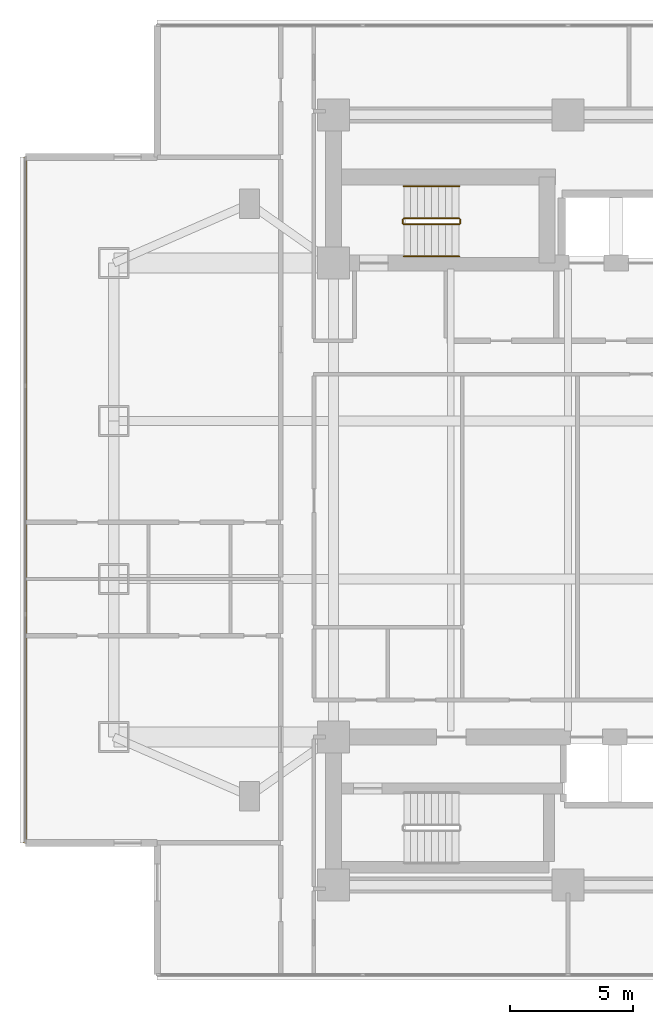
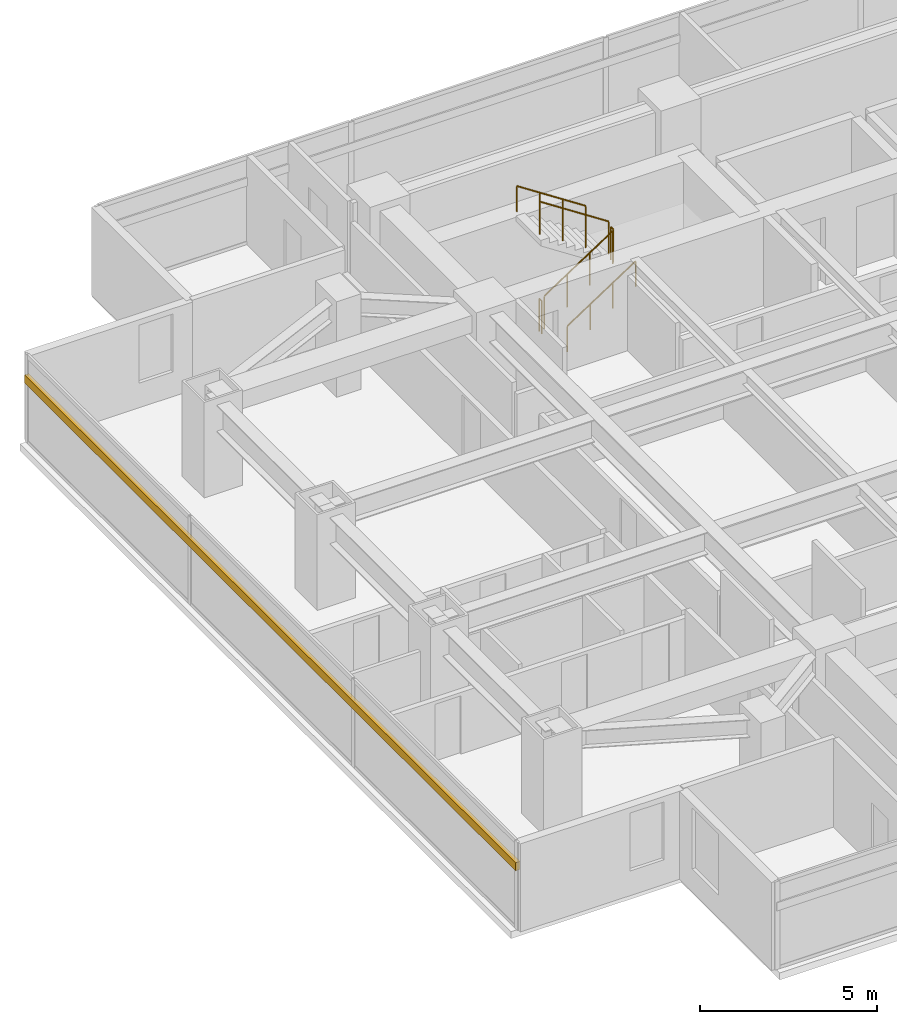
# One storey, part 21 of 24: 6 railings, 1 shading device.
"""IFC4 building model written with IfcOpenShell, lengths in metres."""

from ifc_helpers import new_model, si_unit, direction, frame, origin, origin_2d, place, context, subcontext, project, spatial, rectangle, circle, extrude, material, material_profile, profile_set, type_object, element, save


model = new_model("IFC4")

# Units and contexts
model_context = context("Model", 3, precision=1e-05, world=origin(), true_north=direction((0.0, 1.0)))
body_context = subcontext(model_context, "Body", "Model", "MODEL_VIEW")
ifc_project = project(units=[si_unit("LENGTHUNIT", "METRE"), si_unit("AREAUNIT", "SQUARE_METRE"), si_unit("VOLUMEUNIT", "CUBIC_METRE"), si_unit("PLANEANGLEUNIT", "RADIAN"), si_unit("MASSUNIT", "GRAM", prefix="KILO")], contexts=[model_context])

# Site, building, storey
site_placement = place(None, origin())
site = spatial("IfcSite", under=ifc_project, at=site_placement, CompositionType="ELEMENT")
building_placement = place(site_placement, origin())
building = spatial("IfcBuilding", under=site, at=building_placement, Name="Mirazonda Arch Towers", CompositionType="ELEMENT")
storey_placement = place(building_placement, frame((0.0, 0.0, 68.60009765625)))
storey = spatial("IfcBuildingStorey", under=building, at=storey_placement, Name="L19", CompositionType="ELEMENT", Elevation=68.60009765625)

# Shading device
ifc_material_1 = material(Name="Kiln-Fired Architectural Terracotta", Category="masonry")
ifc_material_profile = material_profile(ifc_material_1, rectangle(XDim=0.139892578125, YDim=0.280029296875, at=origin_2d()), Name="TERRA-BAG-140x280")
ifc_profile_set = profile_set([ifc_material_profile], Name="Kiln-Fired Architectural Terracotta")
shading_device_type = type_object("IfcShadingDeviceType", Name="BAGUETTE-3", PredefinedType="USERDEFINED", material=ifc_profile_set)
shading_device_placement = place(storey_placement, frame((-1.47998046875, 41.889892578125, 2.188720703125), z_axis=(0.0, -1.0, 0.0), x_axis=(1.0, 0.0, 0.0)))
element("IfcShadingDevice", 1, at=shading_device_placement, inside=storey, type_object=shading_device_type, Name="L19 Glazed Terracotta Sun-Screen Baguette CW-L19-T1-W", ObjectType="BAGUETTE", PredefinedType="USERDEFINED", context=body_context, shape_type="SweptSolid", body=[
    extrude(rectangle(XDim=0.139892578125, YDim=0.280029296875, at=origin_2d()), origin(), (0.0, 0.0, 1.0), 27.77978515625),
])

# Railings
ifc_material_2 = material(Name="Architectural Brushed Steel S355", Category="steel")
railing_type_1 = type_object("IfcRailingType", Name="GUARD-STAIR-1120", PredefinedType="GUARDRAIL", material=ifc_material_2)
railing_1_placement = place(storey_placement, frame((13.85009765625, 39.169921875, 0.183349609375)))
element("IfcRailing", 2, at=railing_1_placement, inside=storey, type_object=railing_type_1, Name="L19 ST-T1N stair guard 1", PredefinedType="GUARDRAIL", context=body_context, shape_type="SweptSolid", body=[
    extrude(circle(Radius=0.02392578125, at=origin_2d()), frame((0.0, 0.0, 1.1259765625), z_axis=(0.836636935527, 0.0, 0.547757827979), x_axis=(0.0, 1.0, 0.0)), (0.0, 0.0, 1.0), 2.677490234375),
    extrude(circle(Radius=0.02099609375, at=origin_2d()), origin(), (0.0, 0.0, 1.0), 1.101806640625),
    extrude(circle(Radius=0.02099609375, at=origin_2d()), frame((0.74658203125, 0.0, 0.48876953125)), (0.0, 0.0, 1.0), 1.101806640625),
    extrude(circle(Radius=0.02099609375, at=origin_2d()), frame((1.493408203125, 0.0, 0.977783203125)), (0.0, 0.0, 1.0), 1.101806640625),
    extrude(circle(Radius=0.02099609375, at=origin_2d()), frame((2.239990234375, 0.0, 1.466552734375)), (0.0, 0.0, 1.0), 1.101806640625),
])
railing_2_placement = place(storey_placement, frame((16.139892578125, 39.219970703125, 1.64990234375)))
element("IfcRailing", 3, at=railing_2_placement, inside=storey, type_object=railing_type_1, Name="L19 ST-T1N stair guard 2", PredefinedType="GUARDRAIL", context=body_context, shape_type="SweptSolid", body=[
    extrude(circle(Radius=0.02392578125, at=origin_2d()), frame((0.0, 0.0, 1.1259765625), z_axis=(0.0, 1.0, 0.0), x_axis=(-1.0, 0.0, 0.0)), (0.0, 0.0, 1.0), 0.14013671875),
    extrude(circle(Radius=0.02099609375, at=origin_2d()), origin(), (0.0, 0.0, 1.0), 1.101806640625),
    extrude(circle(Radius=0.02099609375, at=origin_2d()), frame((0.0, 0.14013671875, 0.0)), (0.0, 0.0, 1.0), 1.101806640625),
])
railing_3_placement = place(storey_placement, frame((16.090087890625, 39.409912109375, 1.833251953125)))
element("IfcRailing", 4, at=railing_3_placement, inside=storey, type_object=railing_type_1, Name="L19 ST-T1N stair guard 3", PredefinedType="GUARDRAIL", context=body_context, shape_type="SweptSolid", body=[
    extrude(circle(Radius=0.02392578125, at=origin_2d()), frame((0.0, 0.0, 1.1259765625), z_axis=(-0.836636935527, 0.0, 0.547757827979), x_axis=(0.0, -1.0, 0.0)), (0.0, 0.0, 1.0), 2.677490234375),
    extrude(circle(Radius=0.02099609375, at=origin_2d()), origin(), (0.0, 0.0, 1.0), 1.101806640625),
    extrude(circle(Radius=0.02099609375, at=origin_2d()), frame((-0.74658203125, 0.0, 0.48876953125)), (0.0, 0.0, 1.0), 1.101806640625),
    extrude(circle(Radius=0.02099609375, at=origin_2d()), frame((-1.493408203125, 0.0, 0.977783203125)), (0.0, 0.0, 1.0), 1.101806640625),
    extrude(circle(Radius=0.02099609375, at=origin_2d()), frame((-2.239990234375, 0.0, 1.466552734375)), (0.0, 0.0, 1.0), 1.101806640625),
])
railing_4_placement = place(storey_placement, frame((13.800048828125, 39.219970703125, 0.0)))
element("IfcRailing", 5, at=railing_4_placement, inside=storey, type_object=railing_type_1, Name="L19 ST-T1N stair guard 4", PredefinedType="GUARDRAIL", context=body_context, shape_type="SweptSolid", body=[
    extrude(circle(Radius=0.02392578125, at=origin_2d()), frame((0.0, 0.0, 1.1259765625), z_axis=(0.0, 1.0, 0.0), x_axis=(-1.0, 0.0, 0.0)), (0.0, 0.0, 1.0), 0.14013671875),
    extrude(circle(Radius=0.02099609375, at=origin_2d()), origin(), (0.0, 0.0, 1.0), 1.101806640625),
    extrude(circle(Radius=0.02099609375, at=origin_2d()), frame((0.0, 0.14013671875, 0.0)), (0.0, 0.0, 1.0), 1.101806640625),
])
railing_type_2 = type_object("IfcRailingType", Name="HANDRAIL-915", PredefinedType="HANDRAIL", material=ifc_material_2)
railing_5_placement = place(storey_placement, frame((13.85009765625, 37.8701171875, 0.183349609375)))
element("IfcRailing", 6, at=railing_5_placement, inside=storey, type_object=railing_type_2, Name="L19 ST-T1N stair handrail 1", PredefinedType="HANDRAIL", context=body_context, shape_type="SweptSolid", body=[
    extrude(circle(Radius=0.02392578125, at=origin_2d()), frame((0.0, 0.0, 0.8759765625), z_axis=(0.836636935527, 0.0, 0.547757827979), x_axis=(0.0, 1.0, 0.0)), (0.0, 0.0, 1.0), 2.677490234375),
    extrude(circle(Radius=0.02099609375, at=origin_2d()), origin(), (0.0, 0.0, 1.0), 0.851806640625),
    extrude(circle(Radius=0.02099609375, at=origin_2d()), frame((0.74658203125, 0.0, 0.48876953125)), (0.0, 0.0, 1.0), 0.851806640625),
    extrude(circle(Radius=0.02099609375, at=origin_2d()), frame((1.493408203125, 0.0, 0.977783203125)), (0.0, 0.0, 1.0), 0.851806640625),
    extrude(circle(Radius=0.02099609375, at=origin_2d()), frame((2.239990234375, 0.0, 1.466552734375)), (0.0, 0.0, 1.0), 0.851806640625),
])
railing_6_placement = place(storey_placement, frame((16.090087890625, 40.7099609375, 1.833251953125)))
element("IfcRailing", 7, at=railing_6_placement, inside=storey, type_object=railing_type_2, Name="L19 ST-T1N stair handrail 2", PredefinedType="HANDRAIL", context=body_context, shape_type="SweptSolid", body=[
    extrude(circle(Radius=0.02392578125, at=origin_2d()), frame((0.0, 0.0, 0.8759765625), z_axis=(-0.836636935527, 0.0, 0.547757827979), x_axis=(0.0, -1.0, 0.0)), (0.0, 0.0, 1.0), 2.677490234375),
    extrude(circle(Radius=0.02099609375, at=origin_2d()), origin(), (0.0, 0.0, 1.0), 0.851806640625),
    extrude(circle(Radius=0.02099609375, at=origin_2d()), frame((-0.74658203125, 0.0, 0.48876953125)), (0.0, 0.0, 1.0), 0.851806640625),
    extrude(circle(Radius=0.02099609375, at=origin_2d()), frame((-1.493408203125, 0.0, 0.977783203125)), (0.0, 0.0, 1.0), 0.851806640625),
    extrude(circle(Radius=0.02099609375, at=origin_2d()), frame((-2.239990234375, 0.0, 1.466552734375)), (0.0, 0.0, 1.0), 0.851806640625),
])

save(model, "model.ifc")
